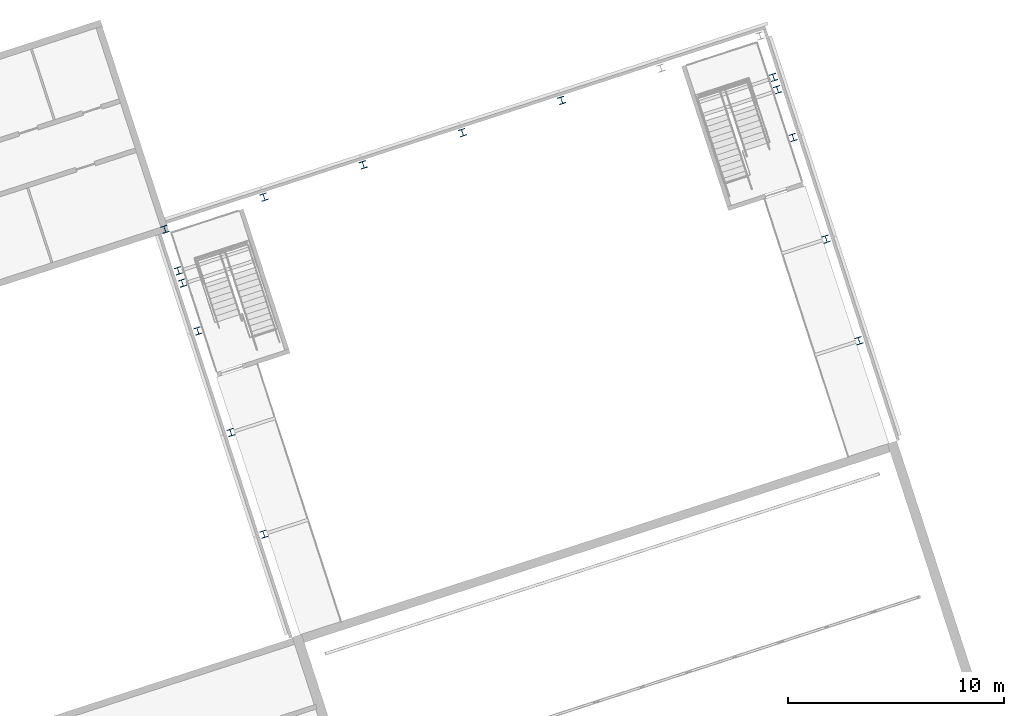
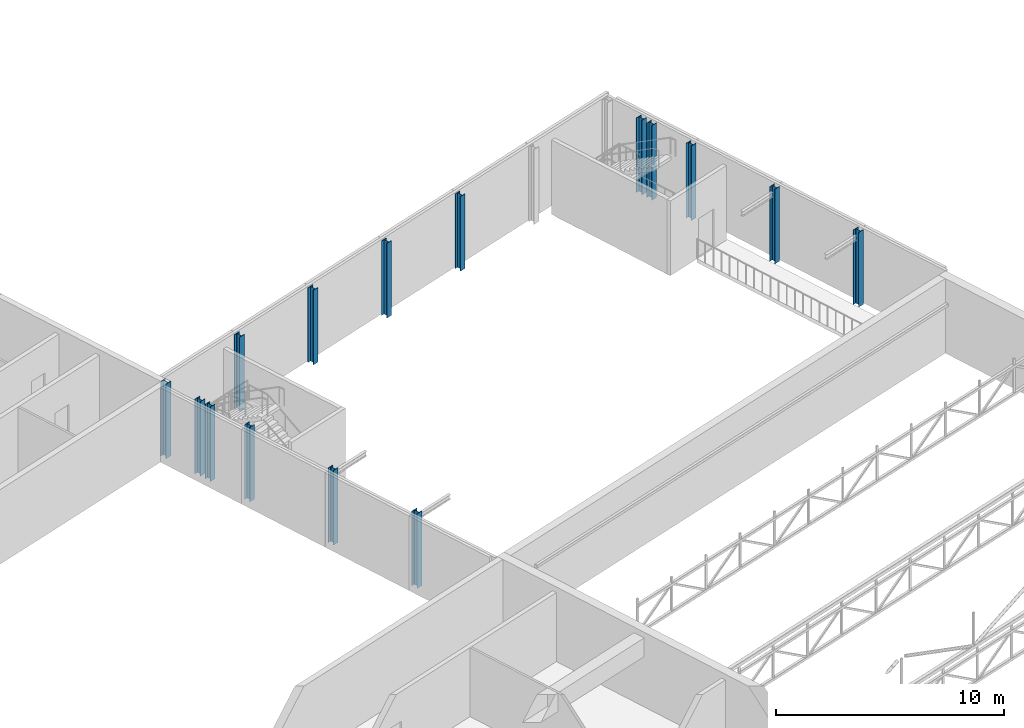
# One storey, part 1 of 81: 15 columns.
"""IFC4 building model written with IfcOpenShell, lengths in metres."""

from ifc_helpers import new_model, si_unit, direction, frame, origin, origin_2d, place, context, subcontext, project, spatial, i_section, extrude, material, material_profile, profile_set, type_object, element, save


model = new_model("IFC4")

# Units and contexts
model_context = context("Model", 3, precision=1e-05, world=origin(), true_north=direction((0.0, 1.0)))
body_context = subcontext(model_context, "Body", "Model", "MODEL_VIEW")
ifc_project = project(units=[si_unit("LENGTHUNIT", "METRE"), si_unit("AREAUNIT", "SQUARE_METRE"), si_unit("VOLUMEUNIT", "CUBIC_METRE"), si_unit("PLANEANGLEUNIT", "RADIAN"), si_unit("MASSUNIT", "GRAM", prefix="KILO")], contexts=[model_context])

# Site, building, storey
site_placement = place(None, origin())
site = spatial("IfcSite", under=ifc_project, at=site_placement, CompositionType="ELEMENT")
building_placement = place(site_placement, origin())
building = spatial("IfcBuilding", under=site, at=building_placement, Name="Tuart Plaza Theatre", CompositionType="ELEMENT")
storey_placement = place(building_placement, frame((0.0, 0.0, 17.5)))
storey = spatial("IfcBuildingStorey", under=building, at=storey_placement, Name="L04", CompositionType="ELEMENT", Elevation=17.5)

# Columns
ifc_material = material(Name="Steel Grade 300", Category="steel")
ifc_material_profile = material_profile(ifc_material, i_section(OverallWidth=0.31103515625, OverallDepth=0.326904296875, WebThickness=0.015625, FlangeThickness=0.02490234375, FilletRadius=0.0166015625, at=origin_2d()), Name="310UC158")
ifc_profile_set = profile_set([ifc_material_profile], Name="Steel Grade 300")
column_type = type_object("IfcColumnType", Name="COLUMN 310UC158", PredefinedType="COLUMN", material=ifc_profile_set)
for number, where, z_axis, x_axis, name in (
    (1, (35.976806640625, 85.158935546875, 0.0), (0.0, 0.0, 1.0), (0.951056516295, 0.309016994375, 0.0), "SC1"),
    (2, (35.79150390625, 85.7294921875, 0.0), (0.0, 0.0, 1.0), (0.951056516295, 0.309016994375, 0.0), "SC2"),
    (3, (63.557373046875, 94.120361328125, 0.0), (0.0, 0.0, 1.0), (0.951056516295, 0.309016994375, 0.0), "SC3"),
    (4, (63.3720703125, 94.691162109375, 0.0), (0.0, 0.0, 1.0), (0.951056516295, 0.309016994375, 0.0), "SC4"),
    (5, (39.756103515625, 73.527587890625, 0.0), (0.0, 0.0, 1.0), (0.951056516295, 0.309016994375, 0.0), "SC5"),
    (6, (67.336669921875, 82.489013671875, 0.0), (0.0, 0.0, 1.0), (0.951056516295, 0.309016994375, 0.0), "SC6"),
    (7, (38.2265625, 78.2353515625, 0.0), (0.0, 0.0, 1.0), (0.951056516295, 0.309016994375, 0.0), "SC7"),
    (8, (65.80712890625, 87.19677734375, 0.0), (0.0, 0.0, 1.0), (0.951056516295, 0.309016994375, 0.0), "SC8"),
    (9, (36.69677734375, 82.94287109375, 0.0), (0.0, 0.0, 1.0), (0.951056516295, 0.309016994375, 0.0), "SC9"),
    (10, (64.27734375, 91.904541015625, 0.0), (0.0, 0.0, 1.0), (0.951056516295, 0.309016994375, 0.0), "SC10"),
    (11, (35.167236328125, 87.650634765625, 0.0), (0.0, 0.0, 1.0), (0.951056516295, 0.309016994375, 0.0), "SC11"),
    (12, (39.763916015625, 89.144287109375, 0.0), (0.0, 0.0, 1.0), (0.951056516295, 0.309016994375, 0.0), "SC12"),
    (13, (44.36083984375, 90.637939453125, 0.0), (0.0, 0.0, 1.0), (0.951056516295, 0.309016994375, 0.0), "SC13"),
    (14, (48.95751953125, 92.13134765625, 0.0), (0.0, 0.0, 1.0), (0.951056516295, 0.309016994375, 0.0), "SC14"),
    (15, (53.55419921875, 93.625, 0.0), (0.0, 0.0, 1.0), (0.951056516295, 0.309016994375, 0.0), "SC15"),
):
    element("IfcColumn", number, at=place(storey_placement, frame(where, z_axis=z_axis, x_axis=x_axis)), inside=storey, type_object=column_type, Name=name, PredefinedType="COLUMN", context=body_context, shape_type="SweptSolid", body=[
        extrude(i_section(OverallWidth=0.31103515625, OverallDepth=0.326904296875, WebThickness=0.015625, FlangeThickness=0.02490234375, FilletRadius=0.0166015625, at=origin_2d()), origin(), (0.0, 0.0, 1.0), 4.0),
    ])

save(model, "model.ifc")
